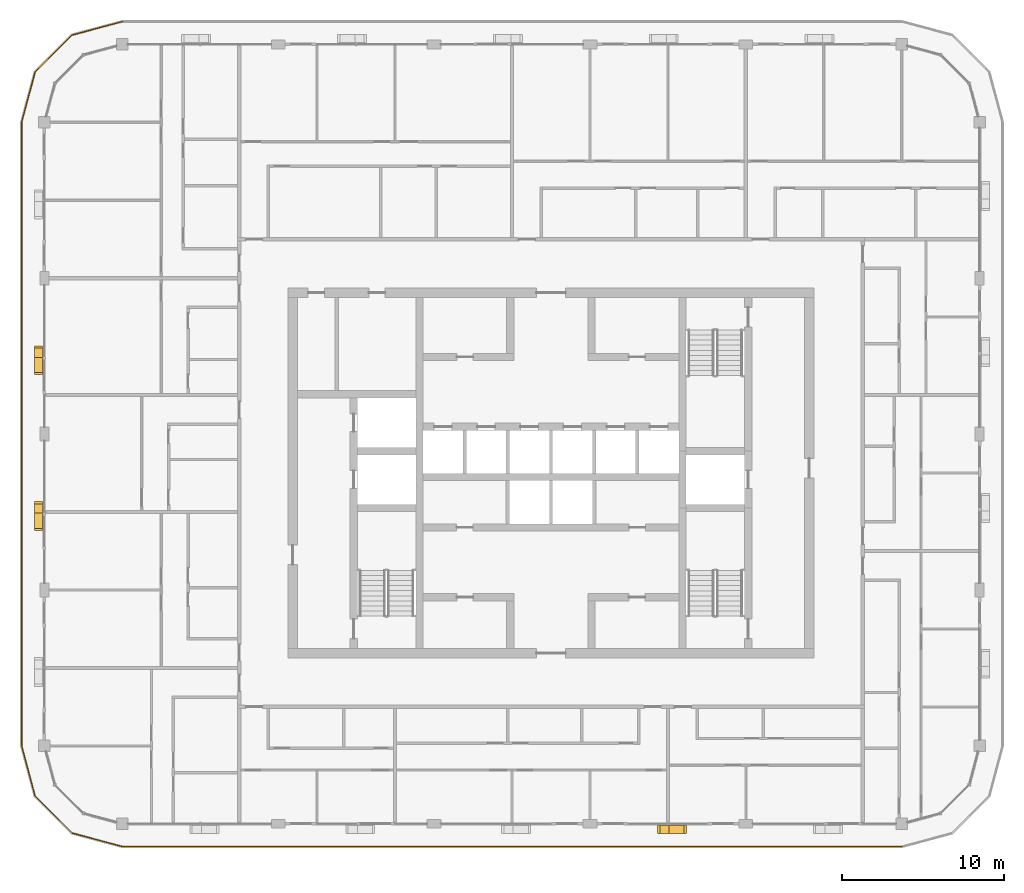
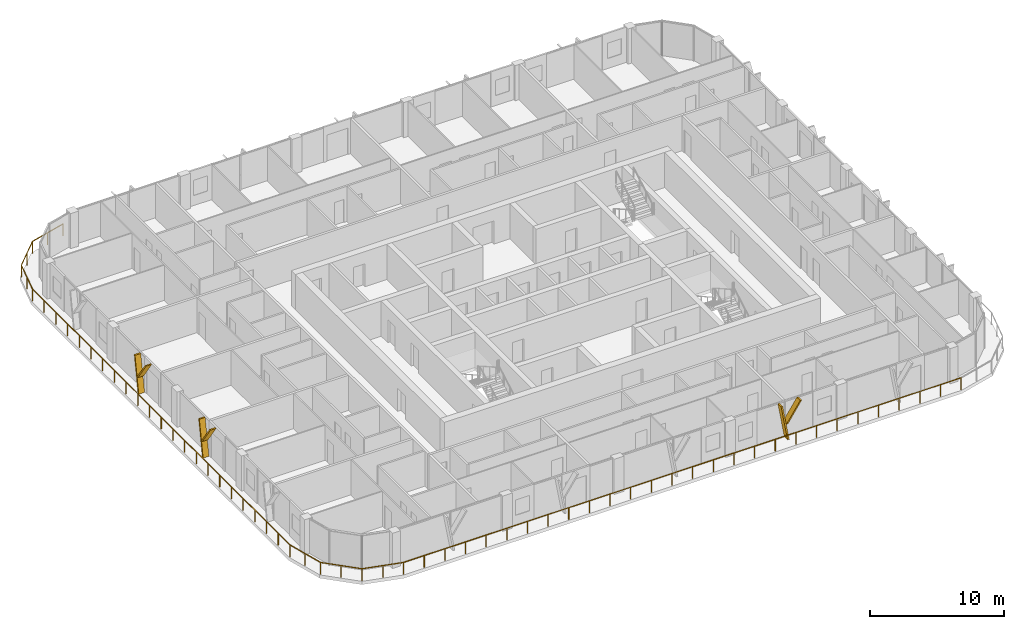
# One storey, part 17 of 21: 6 shading devices, 1 railing.
"""IFC4 building model written with IfcOpenShell, lengths in metres."""

from ifc_helpers import new_model, si_unit, direction, frame, origin, origin_2d, place, context, subcontext, project, spatial, polyline, circle, outline, extrude, material, type_object, element, save


model = new_model("IFC4")

# Units and contexts
model_context = context("Model", 3, precision=1e-05, world=origin(), true_north=direction((0.0, 1.0)))
body_context = subcontext(model_context, "Body", "Model", "MODEL_VIEW")
ifc_project = project(units=[si_unit("LENGTHUNIT", "METRE"), si_unit("AREAUNIT", "SQUARE_METRE"), si_unit("VOLUMEUNIT", "CUBIC_METRE"), si_unit("PLANEANGLEUNIT", "RADIAN"), si_unit("MASSUNIT", "GRAM", prefix="KILO")], contexts=[model_context])

# Site, building, storey
site_placement = place(None, origin())
site = spatial("IfcSite", under=ifc_project, at=site_placement, CompositionType="ELEMENT")
building_placement = place(site_placement, origin())
building = spatial("IfcBuilding", under=site, at=building_placement, Name="Madar Terraces", CompositionType="ELEMENT")
storey_placement = place(building_placement, frame((0.0, 0.0, 252.699951171875)))
storey = spatial("IfcBuildingStorey", under=building, at=storey_placement, Name="L66", CompositionType="ELEMENT", Elevation=252.699951171875)

# Railing
ifc_material_1 = material(Name="Glass, safety glazing, with stainless steel posts", Category="steel")
railing_type = type_object("IfcRailingType", Name="Balcony glass guard 1100", PredefinedType="GUARDRAIL", material=ifc_material_1)
railing_placement = place(storey_placement, frame((4.800048828125, 54.199951171875, 0.0)))
element("IfcRailing", 1, at=railing_placement, inside=storey, type_object=railing_type, Name="Balcony guard", PredefinedType="GUARDRAIL", context=body_context, shape_type="SweptSolid", body=[
    extrude(circle(Radius=0.02392578125, at=origin_2d()), frame((0.0, 0.0, 1.076171875), z_axis=(-0.9659337912, -0.258789317819, 0.0), x_axis=(0.258789317819, -0.9659337912, 0.0)), (0.0, 0.0, 1.0), 3.20947265625),
    extrude(circle(Radius=0.02392578125, at=origin_2d()), frame((-3.10009765625, -0.83056640625, 1.076171875), z_axis=(-0.707106781187, -0.707106781187, 0.0), x_axis=(0.707106781187, -0.707106781187, 0.0)), (0.0, 0.0, 1.0), 3.209228515625),
    extrude(circle(Radius=0.02392578125, at=origin_2d()), frame((-5.369384765625, -3.099853515625, 1.076171875), z_axis=(-0.258789317819, -0.9659337912, 0.0), x_axis=(0.9659337912, -0.258789317819, 0.0)), (0.0, 0.0, 1.0), 3.20947265625),
    extrude(circle(Radius=0.02392578125, at=origin_2d()), frame((-6.199951171875, -6.199951171875, 1.076171875), z_axis=(0.0, -1.0, 0.0), x_axis=(1.0, 0.0, 0.0)), (0.0, 0.0, 1.0), 38.39990234375),
    extrude(circle(Radius=0.02392578125, at=origin_2d()), frame((-6.199951171875, -44.599853515625, 1.076171875), z_axis=(0.258789317819, -0.9659337912, 0.0), x_axis=(0.9659337912, 0.258789317819, 0.0)), (0.0, 0.0, 1.0), 3.20947265625),
    extrude(circle(Radius=0.02392578125, at=origin_2d()), frame((-5.369384765625, -47.699951171875, 1.076171875), z_axis=(0.707106781187, -0.707106781187, 0.0), x_axis=(0.707106781187, 0.707106781187, 0.0)), (0.0, 0.0, 1.0), 3.209228515625),
    extrude(circle(Radius=0.02392578125, at=origin_2d()), frame((-3.10009765625, -49.96923828125, 1.076171875), z_axis=(0.965914773555, -0.258860290944, 0.0), x_axis=(0.258860290944, 0.965914773555, 0.0)), (0.0, 0.0, 1.0), 3.20947265625),
    extrude(circle(Radius=0.02392578125, at=origin_2d()), frame((0.0, -50.800048828125, 1.076171875), z_axis=(1.0, 0.0, 0.0), x_axis=(0.0, 1.0, 0.0)), (0.0, 0.0, 1.0), 48.0),
    extrude(circle(Radius=0.02099609375, at=origin_2d()), origin(), (0.0, 0.0, 1.0), 1.052001953125),
    extrude(circle(Radius=0.02099609375, at=origin_2d()), frame((-1.550048828125, -0.415283203125, 0.0)), (0.0, 0.0, 1.0), 1.052001953125),
    extrude(circle(Radius=0.02099609375, at=origin_2d()), frame((-3.10009765625, -0.83056640625, 0.0)), (0.0, 0.0, 1.0), 1.052001953125),
    extrude(circle(Radius=0.02099609375, at=origin_2d()), frame((-4.23486328125, -1.96533203125, 0.0)), (0.0, 0.0, 1.0), 1.052001953125),
    extrude(circle(Radius=0.02099609375, at=origin_2d()), frame((-5.369384765625, -3.099853515625, 0.0)), (0.0, 0.0, 1.0), 1.052001953125),
    extrude(circle(Radius=0.02099609375, at=origin_2d()), frame((-5.78466796875, -4.64990234375, 0.0)), (0.0, 0.0, 1.0), 1.052001953125),
    extrude(circle(Radius=0.02099609375, at=origin_2d()), frame((-6.199951171875, -6.199951171875, 0.0)), (0.0, 0.0, 1.0), 1.052001953125),
    extrude(circle(Radius=0.02099609375, at=origin_2d()), frame((-6.199951171875, -7.9453125, 0.0)), (0.0, 0.0, 1.0), 1.052001953125),
    extrude(circle(Radius=0.02099609375, at=origin_2d()), frame((-6.199951171875, -9.69091796875, 0.0)), (0.0, 0.0, 1.0), 1.052001953125),
    extrude(circle(Radius=0.02099609375, at=origin_2d()), frame((-6.199951171875, -11.436279296875, 0.0)), (0.0, 0.0, 1.0), 1.052001953125),
    extrude(circle(Radius=0.02099609375, at=origin_2d()), frame((-6.199951171875, -13.181640625, 0.0)), (0.0, 0.0, 1.0), 1.052001953125),
    extrude(circle(Radius=0.02099609375, at=origin_2d()), frame((-6.199951171875, -14.92724609375, 0.0)), (0.0, 0.0, 1.0), 1.052001953125),
    extrude(circle(Radius=0.02099609375, at=origin_2d()), frame((-6.199951171875, -16.672607421875, 0.0)), (0.0, 0.0, 1.0), 1.052001953125),
    extrude(circle(Radius=0.02099609375, at=origin_2d()), frame((-6.199951171875, -18.418212890625, 0.0)), (0.0, 0.0, 1.0), 1.052001953125),
    extrude(circle(Radius=0.02099609375, at=origin_2d()), frame((-6.199951171875, -20.16357421875, 0.0)), (0.0, 0.0, 1.0), 1.052001953125),
    extrude(circle(Radius=0.02099609375, at=origin_2d()), frame((-6.199951171875, -21.908935546875, 0.0)), (0.0, 0.0, 1.0), 1.052001953125),
    extrude(circle(Radius=0.02099609375, at=origin_2d()), frame((-6.199951171875, -23.654541015625, 0.0)), (0.0, 0.0, 1.0), 1.052001953125),
    extrude(circle(Radius=0.02099609375, at=origin_2d()), frame((-6.199951171875, -25.39990234375, 0.0)), (0.0, 0.0, 1.0), 1.052001953125),
    extrude(circle(Radius=0.02099609375, at=origin_2d()), frame((-6.199951171875, -27.145263671875, 0.0)), (0.0, 0.0, 1.0), 1.052001953125),
    extrude(circle(Radius=0.02099609375, at=origin_2d()), frame((-6.199951171875, -28.890869140625, 0.0)), (0.0, 0.0, 1.0), 1.052001953125),
    extrude(circle(Radius=0.02099609375, at=origin_2d()), frame((-6.199951171875, -30.63623046875, 0.0)), (0.0, 0.0, 1.0), 1.052001953125),
    extrude(circle(Radius=0.02099609375, at=origin_2d()), frame((-6.199951171875, -32.381591796875, 0.0)), (0.0, 0.0, 1.0), 1.052001953125),
    extrude(circle(Radius=0.02099609375, at=origin_2d()), frame((-6.199951171875, -34.127197265625, 0.0)), (0.0, 0.0, 1.0), 1.052001953125),
    extrude(circle(Radius=0.02099609375, at=origin_2d()), frame((-6.199951171875, -35.87255859375, 0.0)), (0.0, 0.0, 1.0), 1.052001953125),
    extrude(circle(Radius=0.02099609375, at=origin_2d()), frame((-6.199951171875, -37.6181640625, 0.0)), (0.0, 0.0, 1.0), 1.052001953125),
    extrude(circle(Radius=0.02099609375, at=origin_2d()), frame((-6.199951171875, -39.363525390625, 0.0)), (0.0, 0.0, 1.0), 1.052001953125),
    extrude(circle(Radius=0.02099609375, at=origin_2d()), frame((-6.199951171875, -41.10888671875, 0.0)), (0.0, 0.0, 1.0), 1.052001953125),
    extrude(circle(Radius=0.02099609375, at=origin_2d()), frame((-6.199951171875, -42.8544921875, 0.0)), (0.0, 0.0, 1.0), 1.052001953125),
    extrude(circle(Radius=0.02099609375, at=origin_2d()), frame((-6.199951171875, -44.599853515625, 0.0)), (0.0, 0.0, 1.0), 1.052001953125),
    extrude(circle(Radius=0.02099609375, at=origin_2d()), frame((-5.78466796875, -46.14990234375, 0.0)), (0.0, 0.0, 1.0), 1.052001953125),
    extrude(circle(Radius=0.02099609375, at=origin_2d()), frame((-5.369384765625, -47.699951171875, 0.0)), (0.0, 0.0, 1.0), 1.052001953125),
    extrude(circle(Radius=0.02099609375, at=origin_2d()), frame((-4.23486328125, -48.83447265625, 0.0)), (0.0, 0.0, 1.0), 1.052001953125),
    extrude(circle(Radius=0.02099609375, at=origin_2d()), frame((-3.10009765625, -49.96923828125, 0.0)), (0.0, 0.0, 1.0), 1.052001953125),
    extrude(circle(Radius=0.02099609375, at=origin_2d()), frame((-1.550048828125, -50.384765625, 0.0)), (0.0, 0.0, 1.0), 1.052001953125),
    extrude(circle(Radius=0.02099609375, at=origin_2d()), frame((0.0, -50.800048828125, 0.0)), (0.0, 0.0, 1.0), 1.052001953125),
    extrude(circle(Radius=0.02099609375, at=origin_2d()), frame((1.77783203125, -50.800048828125, 0.0)), (0.0, 0.0, 1.0), 1.052001953125),
    extrude(circle(Radius=0.02099609375, at=origin_2d()), frame((3.5556640625, -50.800048828125, 0.0)), (0.0, 0.0, 1.0), 1.052001953125),
    extrude(circle(Radius=0.02099609375, at=origin_2d()), frame((5.333251953125, -50.800048828125, 0.0)), (0.0, 0.0, 1.0), 1.052001953125),
    extrude(circle(Radius=0.02099609375, at=origin_2d()), frame((7.111083984375, -50.800048828125, 0.0)), (0.0, 0.0, 1.0), 1.052001953125),
    extrude(circle(Radius=0.02099609375, at=origin_2d()), frame((8.888916015625, -50.800048828125, 0.0)), (0.0, 0.0, 1.0), 1.052001953125),
    extrude(circle(Radius=0.02099609375, at=origin_2d()), frame((10.666748046875, -50.800048828125, 0.0)), (0.0, 0.0, 1.0), 1.052001953125),
    extrude(circle(Radius=0.02099609375, at=origin_2d()), frame((12.4443359375, -50.800048828125, 0.0)), (0.0, 0.0, 1.0), 1.052001953125),
    extrude(circle(Radius=0.02099609375, at=origin_2d()), frame((14.22216796875, -50.800048828125, 0.0)), (0.0, 0.0, 1.0), 1.052001953125),
    extrude(circle(Radius=0.02099609375, at=origin_2d()), frame((16.0, -50.800048828125, 0.0)), (0.0, 0.0, 1.0), 1.052001953125),
    extrude(circle(Radius=0.02099609375, at=origin_2d()), frame((17.77783203125, -50.800048828125, 0.0)), (0.0, 0.0, 1.0), 1.052001953125),
    extrude(circle(Radius=0.02099609375, at=origin_2d()), frame((19.5556640625, -50.800048828125, 0.0)), (0.0, 0.0, 1.0), 1.052001953125),
    extrude(circle(Radius=0.02099609375, at=origin_2d()), frame((21.333251953125, -50.800048828125, 0.0)), (0.0, 0.0, 1.0), 1.052001953125),
    extrude(circle(Radius=0.02099609375, at=origin_2d()), frame((23.111083984375, -50.800048828125, 0.0)), (0.0, 0.0, 1.0), 1.052001953125),
    extrude(circle(Radius=0.02099609375, at=origin_2d()), frame((24.888916015625, -50.800048828125, 0.0)), (0.0, 0.0, 1.0), 1.052001953125),
    extrude(circle(Radius=0.02099609375, at=origin_2d()), frame((26.666748046875, -50.800048828125, 0.0)), (0.0, 0.0, 1.0), 1.052001953125),
    extrude(circle(Radius=0.02099609375, at=origin_2d()), frame((28.4443359375, -50.800048828125, 0.0)), (0.0, 0.0, 1.0), 1.052001953125),
    extrude(circle(Radius=0.02099609375, at=origin_2d()), frame((30.22216796875, -50.800048828125, 0.0)), (0.0, 0.0, 1.0), 1.052001953125),
    extrude(circle(Radius=0.02099609375, at=origin_2d()), frame((32.0, -50.800048828125, 0.0)), (0.0, 0.0, 1.0), 1.052001953125),
    extrude(circle(Radius=0.02099609375, at=origin_2d()), frame((33.77783203125, -50.800048828125, 0.0)), (0.0, 0.0, 1.0), 1.052001953125),
    extrude(circle(Radius=0.02099609375, at=origin_2d()), frame((35.5556640625, -50.800048828125, 0.0)), (0.0, 0.0, 1.0), 1.052001953125),
    extrude(circle(Radius=0.02099609375, at=origin_2d()), frame((37.333251953125, -50.800048828125, 0.0)), (0.0, 0.0, 1.0), 1.052001953125),
    extrude(circle(Radius=0.02099609375, at=origin_2d()), frame((39.111083984375, -50.800048828125, 0.0)), (0.0, 0.0, 1.0), 1.052001953125),
    extrude(circle(Radius=0.02099609375, at=origin_2d()), frame((40.888916015625, -50.800048828125, 0.0)), (0.0, 0.0, 1.0), 1.052001953125),
    extrude(circle(Radius=0.02099609375, at=origin_2d()), frame((42.666748046875, -50.800048828125, 0.0)), (0.0, 0.0, 1.0), 1.052001953125),
    extrude(circle(Radius=0.02099609375, at=origin_2d()), frame((44.4443359375, -50.800048828125, 0.0)), (0.0, 0.0, 1.0), 1.052001953125),
    extrude(circle(Radius=0.02099609375, at=origin_2d()), frame((46.22216796875, -50.800048828125, 0.0)), (0.0, 0.0, 1.0), 1.052001953125),
    extrude(circle(Radius=0.02099609375, at=origin_2d()), frame((48.0, -50.800048828125, 0.0)), (0.0, 0.0, 1.0), 1.052001953125),
])

# Shading devices
ifc_material_2 = material(Name="Aluminium, black anodised", Category="aluminium")
shading_device_type = type_object("IfcShadingDeviceType", Name="Facade fin blade 140 x 500", PredefinedType="USERDEFINED", material=ifc_material_2)
shading_device_1_placement = place(storey_placement, frame((38.330078125, 4.449951171875, 0.0), z_axis=(0.0, 0.0, 1.0), x_axis=(1.0, 0.0, 0.0)))
element("IfcShadingDevice", 2, at=shading_device_1_placement, inside=storey, type_object=shading_device_type, Name="FIN L66 S4", ObjectType="FIN", PredefinedType="USERDEFINED", context=body_context, shape_type="SweptSolid", body=[
    extrude(outline(polyline([(0.0, 0.0), (0.139892578125, 0.0), (-0.42431640625, 3.199951171875), (-0.564208984375, 3.199951171875), (0.0, 0.0)])), frame((0.0, 0.25, 0.0), z_axis=(0.0, -1.0, 0.0), x_axis=(1.0, 0.0, 0.0)), (0.0, 0.0, 1.0), 0.5),
])
shading_device_2_placement = place(storey_placement, frame((38.216064453125, 4.449951171875, 1.43994140625), z_axis=(0.0, 0.0, 1.0), x_axis=(1.0, 0.0, 0.0)))
element("IfcShadingDevice", 3, at=shading_device_2_placement, inside=storey, type_object=shading_device_type, Name="FIN L66 S4 branch", ObjectType="FIN", PredefinedType="USERDEFINED", context=body_context, shape_type="SweptSolid", body=[
    extrude(outline(polyline([(0.0, 0.0), (0.14013671875, 0.0), (1.32958984375, 1.760009765625), (1.189697265625, 1.760009765625), (0.0, 0.0)])), frame((0.0, 0.25, 0.0), z_axis=(0.0, -1.0, 0.0), x_axis=(1.0, 0.0, 0.0)), (0.0, 0.0, 1.0), 0.5),
])
shading_device_3_placement = place(storey_placement, frame((-0.35009765625, 33.669921875, 0.0), z_axis=(0.0, 0.0, 1.0), x_axis=(0.0, -1.0, 0.0)))
element("IfcShadingDevice", 4, at=shading_device_3_placement, inside=storey, type_object=shading_device_type, Name="FIN L66 W2", ObjectType="FIN", PredefinedType="USERDEFINED", context=body_context, shape_type="SweptSolid", body=[
    extrude(outline(polyline([(0.0, 0.0), (0.139892578125, 0.0), (-0.42431640625, 3.199951171875), (-0.564208984375, 3.199951171875), (0.0, 0.0)])), frame((0.0, 0.25, 0.0), z_axis=(0.0, -1.0, 0.0), x_axis=(1.0, 0.0, 0.0)), (0.0, 0.0, 1.0), 0.5),
])
shading_device_4_placement = place(storey_placement, frame((-0.35009765625, 33.783935546875, 1.43994140625), z_axis=(0.0, 0.0, 1.0), x_axis=(0.0, -1.0, 0.0)))
element("IfcShadingDevice", 5, at=shading_device_4_placement, inside=storey, type_object=shading_device_type, Name="FIN L66 W2 branch", ObjectType="FIN", PredefinedType="USERDEFINED", context=body_context, shape_type="SweptSolid", body=[
    extrude(outline(polyline([(0.0, 0.0), (0.14013671875, 0.0), (1.32958984375, 1.760009765625), (1.189697265625, 1.760009765625), (0.0, 0.0)])), frame((0.0, 0.25, 0.0), z_axis=(0.0, -1.0, 0.0), x_axis=(1.0, 0.0, 0.0)), (0.0, 0.0, 1.0), 0.5),
])
shading_device_5_placement = place(storey_placement, frame((-0.35009765625, 24.070068359375, 0.0), z_axis=(0.0, 0.0, 1.0), x_axis=(0.0, -1.0, 0.0)))
element("IfcShadingDevice", 6, at=shading_device_5_placement, inside=storey, type_object=shading_device_type, Name="FIN L66 W3", ObjectType="FIN", PredefinedType="USERDEFINED", context=body_context, shape_type="SweptSolid", body=[
    extrude(outline(polyline([(0.0, 0.0), (0.14013671875, 0.0), (-0.42431640625, 3.199951171875), (-0.564208984375, 3.199951171875), (0.0, 0.0)])), frame((0.0, 0.25, 0.0), z_axis=(0.0, -1.0, 0.0), x_axis=(1.0, 0.0, 0.0)), (0.0, 0.0, 1.0), 0.5),
])
shading_device_6_placement = place(storey_placement, frame((-0.35009765625, 24.183837890625, 1.43994140625), z_axis=(0.0, 0.0, 1.0), x_axis=(0.0, -1.0, 0.0)))
element("IfcShadingDevice", 7, at=shading_device_6_placement, inside=storey, type_object=shading_device_type, Name="FIN L66 W3 branch", ObjectType="FIN", PredefinedType="USERDEFINED", context=body_context, shape_type="SweptSolid", body=[
    extrude(outline(polyline([(0.0, 0.0), (0.139892578125, 0.0), (1.32958984375, 1.760009765625), (1.189697265625, 1.760009765625), (0.0, 0.0)])), frame((0.0, 0.25, 0.0), z_axis=(0.0, -1.0, 0.0), x_axis=(1.0, 0.0, 0.0)), (0.0, 0.0, 1.0), 0.5),
])

save(model, "model.ifc")
